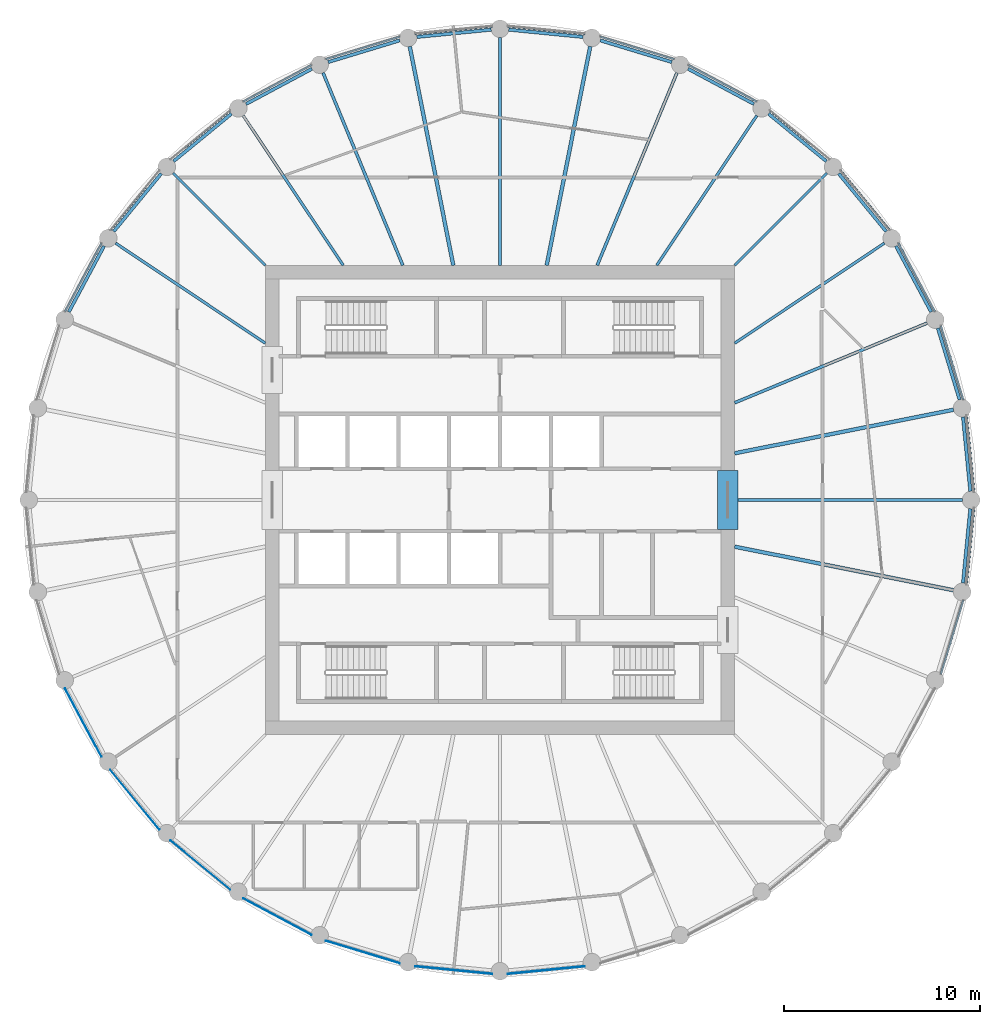
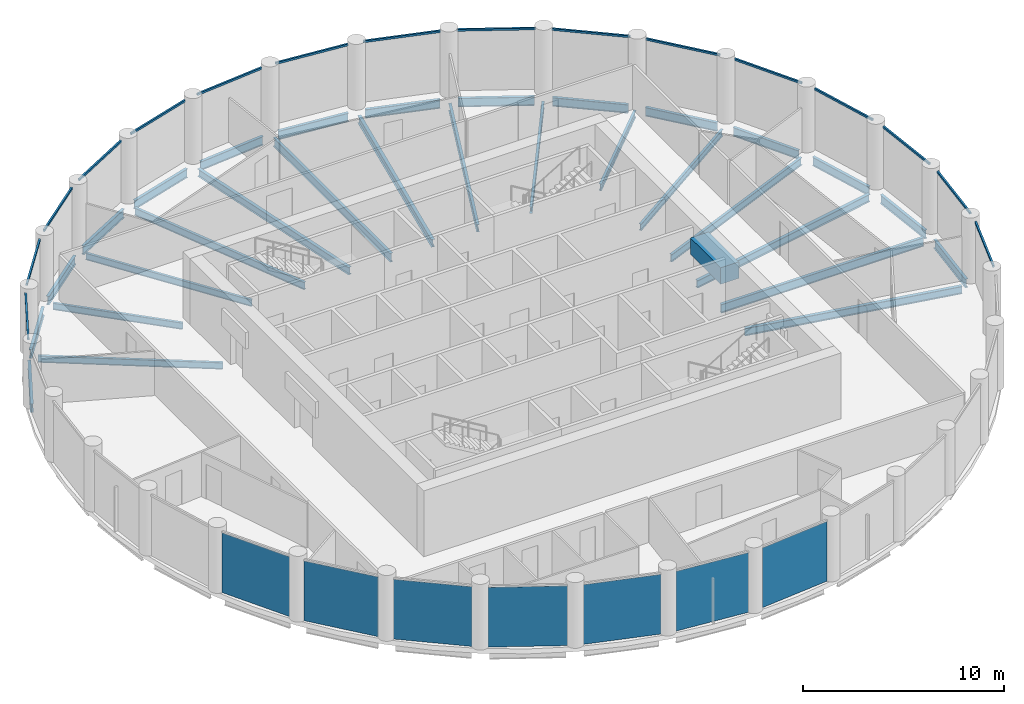
# One storey, part 2 of 8: 31 beams, 16 members, 7 plates, 23 elements without a shape of their own.
"""IFC4 building model written with IfcOpenShell, lengths in metres."""

from ifc_helpers import new_model, si_unit, direction, frame, origin, origin_2d, place, context, subcontext, project, spatial, rectangle, i_section, extrude, material, layer, layer_set, material_profile, profile_set, type_object, element, aggregate, save


model = new_model("IFC4")

# Units and contexts
model_context = context("Model", 3, precision=1e-05, world=origin(), true_north=direction((0.0, 1.0)))
body_context = subcontext(model_context, "Body", "Model", "MODEL_VIEW")
ifc_project = project(units=[si_unit("LENGTHUNIT", "METRE"), si_unit("AREAUNIT", "SQUARE_METRE"), si_unit("VOLUMEUNIT", "CUBIC_METRE"), si_unit("PLANEANGLEUNIT", "RADIAN"), si_unit("MASSUNIT", "GRAM", prefix="KILO")], contexts=[model_context])

# Site, building, storey
site_placement = place(None, origin())
site = spatial("IfcSite", under=ifc_project, at=site_placement, CompositionType="ELEMENT")
building_placement = place(site_placement, origin())
building = spatial("IfcBuilding", under=site, at=building_placement, Name="Corvane Civic Tower", CompositionType="ELEMENT")
storey_placement = place(building_placement, frame((0.0, 0.0, 299.0)))
storey = spatial("IfcBuildingStorey", under=building, at=storey_placement, Name="L71", CompositionType="ELEMENT", Elevation=299.0)

# Beams
ifc_material_1 = material(Name="Concrete C40/50", Category="concrete")
ifc_material_profile_1 = material_profile(ifc_material_1, rectangle(XDim=1.050048828125, YDim=1.0, at=origin_2d()), Name="COUPLING BEAM 1050X1000")
ifc_profile_set_1 = profile_set([ifc_material_profile_1], Name="Concrete C40/50")
beam_type_1 = type_object("IfcBeamType", Name="COUPLING BEAM COUPLING BEAM 1050X1000", PredefinedType="BEAM", material=ifc_profile_set_1)
beam_1_placement = place(storey_placement, frame((11.64990234375, -1.5, 2.60009765625), z_axis=(0.0, 1.0, 0.0), x_axis=(-1.0, 0.0, 0.0)))
element("IfcBeam", 1, at=beam_1_placement, inside=storey, type_object=beam_type_1, Name="BM-L71-cpl-CW-LE", PredefinedType="BEAM", context=body_context, shape_type="SweptSolid", body=[
    extrude(rectangle(XDim=1.050048828125, YDim=1.0, at=origin_2d()), origin(), (0.0, 0.0, 1.0), 3.0),
])
ifc_material_2 = material(Name="Steel ASTM A992 Gr 50", Category="steel")
ifc_material_profile_2 = material_profile(ifc_material_2, i_section(OverallWidth=0.165771484375, OverallDepth=0.5283203125, WebThickness=0.009765625, FlangeThickness=0.013671875, at=origin_2d()), Name="W21X50")
ifc_profile_set_2 = profile_set([ifc_material_profile_2], Name="Steel ASTM A992 Gr 50")
beam_type_2 = type_object("IfcBeamType", Name="EDGE BEAM W21X50", PredefinedType="BEAM", material=ifc_profile_set_2)
for number, where, z_axis, x_axis, name in (
    (2, (0.44775390625, 24.055908203125, -0.564208984375), (0.995187721162, -0.097986732007, 0.0), (0.097986732007, 0.995187721162, 0.0), "BM-L71-E01"),
    (3, (5.13232421875, 23.50634765625, -0.564208984375), (0.95692555902, -0.290333385085, 0.0), (0.290333385085, 0.95692555902, 0.0), "BM-L71-E02"),
):
    element("IfcBeam", number, at=place(storey_placement, frame(where, z_axis=z_axis, x_axis=x_axis)), inside=storey, type_object=beam_type_2, Name=name, PredefinedType="BEAM", context=body_context, shape_type="SweptSolid", body=[
        extrude(i_section(OverallWidth=0.165771484375, OverallDepth=0.5283203125, WebThickness=0.009765625, FlangeThickness=0.013671875, at=origin_2d()), origin(), (0.0, 0.0, 1.0), 3.824462890625),
    ])
beam_2_placement = place(storey_placement, frame((9.61962890625, 22.05322265625, -0.564208984375), z_axis=(0.881914279413, -0.471409804487, 0.0), x_axis=(0.471409804487, 0.881914279413, 0.0)))
element("IfcBeam", 4, at=beam_2_placement, inside=storey, type_object=beam_type_2, Name="BM-L71-E03", PredefinedType="BEAM", context=body_context, shape_type="SweptSolid", body=[
    extrude(i_section(OverallWidth=0.165771484375, OverallDepth=0.5283203125, WebThickness=0.009765625, FlangeThickness=0.013671875, at=origin_2d()), origin(), (0.0, 0.0, 1.0), 3.82421875),
])
for number, where, z_axis, x_axis, name in (
    (5, (13.737060546875, 19.7529296875, -0.564208984375), (0.772997914867, -0.634408562057, 0.0), (0.634408562057, 0.772997914867, 0.0), "BM-L71-E04"),
    (6, (17.32666015625, 16.693359375, -0.564208984375), (0.634408562057, -0.772997914867, 0.0), (0.772997914867, 0.634408562057, 0.0), "BM-L71-E05"),
):
    element("IfcBeam", number, at=place(storey_placement, frame(where, z_axis=z_axis, x_axis=x_axis)), inside=storey, type_object=beam_type_2, Name=name, PredefinedType="BEAM", context=body_context, shape_type="SweptSolid", body=[
        extrude(i_section(OverallWidth=0.165771484375, OverallDepth=0.5283203125, WebThickness=0.009765625, FlangeThickness=0.013671875, at=origin_2d()), origin(), (0.0, 0.0, 1.0), 3.824462890625),
    ])
beam_3_placement = place(storey_placement, frame((20.25048828125, 12.9921875, -0.564208984375), z_axis=(0.471409804487, -0.881914279413, 0.0), x_axis=(0.881914279413, 0.471409804487, 0.0)))
element("IfcBeam", 7, at=beam_3_placement, inside=storey, type_object=beam_type_2, Name="BM-L71-E06", PredefinedType="BEAM", context=body_context, shape_type="SweptSolid", body=[
    extrude(i_section(OverallWidth=0.165771484375, OverallDepth=0.5283203125, WebThickness=0.009765625, FlangeThickness=0.013671875, at=origin_2d()), origin(), (0.0, 0.0, 1.0), 3.82421875),
])
for number, where, z_axis, x_axis, name in (
    (8, (22.39599609375, 8.7919921875, -0.564208984375), (0.290333385085, -0.95692555902, 0.0), (0.95692555902, 0.290333385085, 0.0), "BM-L71-E07"),
    (9, (23.68115234375, 4.25390625, -0.564208984375), (0.097986732007, -0.995187721162, 0.0), (0.995187721162, 0.097986732007, 0.0), "BM-L71-E08"),
    (10, (24.055908203125, -0.44775390625, -0.564208984375), (-0.097986732007, -0.995187721162, 0.0), (0.995187721162, -0.097986732007, 0.0), "BM-L71-E09"),
):
    element("IfcBeam", number, at=place(storey_placement, frame(where, z_axis=z_axis, x_axis=x_axis)), inside=storey, type_object=beam_type_2, Name=name, PredefinedType="BEAM", context=body_context, shape_type="SweptSolid", body=[
        extrude(i_section(OverallWidth=0.165771484375, OverallDepth=0.5283203125, WebThickness=0.009765625, FlangeThickness=0.013671875, at=origin_2d()), origin(), (0.0, 0.0, 1.0), 3.824462890625),
    ])
beam_4_placement = place(storey_placement, frame((-22.05322265625, 9.61962890625, -0.564208984375), z_axis=(0.471409804487, 0.881914279413, 0.0), x_axis=(-0.881914279413, 0.471409804487, 0.0)))
element("IfcBeam", 11, at=beam_4_placement, inside=storey, type_object=beam_type_2, Name="BM-L71-E27", PredefinedType="BEAM", context=body_context, shape_type="SweptSolid", body=[
    extrude(i_section(OverallWidth=0.165771484375, OverallDepth=0.5283203125, WebThickness=0.009765625, FlangeThickness=0.013671875, at=origin_2d()), origin(), (0.0, 0.0, 1.0), 3.82421875),
])
for number, where, z_axis, x_axis, name in (
    (12, (-19.7529296875, 13.737060546875, -0.564208984375), (0.634408562057, 0.772997914867, 0.0), (-0.772997914867, 0.634408562057, 0.0), "BM-L71-E28"),
    (13, (-16.693359375, 17.32666015625, -0.564208984375), (0.772997914867, 0.634408562057, 0.0), (-0.634408562057, 0.772997914867, 0.0), "BM-L71-E29"),
):
    element("IfcBeam", number, at=place(storey_placement, frame(where, z_axis=z_axis, x_axis=x_axis)), inside=storey, type_object=beam_type_2, Name=name, PredefinedType="BEAM", context=body_context, shape_type="SweptSolid", body=[
        extrude(i_section(OverallWidth=0.165771484375, OverallDepth=0.5283203125, WebThickness=0.009765625, FlangeThickness=0.013671875, at=origin_2d()), origin(), (0.0, 0.0, 1.0), 3.824462890625),
    ])
beam_5_placement = place(storey_placement, frame((-12.9921875, 20.25048828125, -0.564208984375), z_axis=(0.881914279413, 0.471409804487, 0.0), x_axis=(-0.471409804487, 0.881914279413, 0.0)))
element("IfcBeam", 14, at=beam_5_placement, inside=storey, type_object=beam_type_2, Name="BM-L71-E30", PredefinedType="BEAM", context=body_context, shape_type="SweptSolid", body=[
    extrude(i_section(OverallWidth=0.165771484375, OverallDepth=0.5283203125, WebThickness=0.009765625, FlangeThickness=0.013671875, at=origin_2d()), origin(), (0.0, 0.0, 1.0), 3.82421875),
])
for number, where, z_axis, x_axis, name in (
    (15, (-8.7919921875, 22.39599609375, -0.564208984375), (0.95692555902, 0.290333385085, 0.0), (-0.290333385085, 0.95692555902, 0.0), "BM-L71-E31"),
    (16, (-4.25390625, 23.68115234375, -0.564208984375), (0.995187721162, 0.097986732007, 0.0), (-0.097986732007, 0.995187721162, 0.0), "BM-L71-E32"),
):
    element("IfcBeam", number, at=place(storey_placement, frame(where, z_axis=z_axis, x_axis=x_axis)), inside=storey, type_object=beam_type_2, Name=name, PredefinedType="BEAM", context=body_context, shape_type="SweptSolid", body=[
        extrude(i_section(OverallWidth=0.165771484375, OverallDepth=0.5283203125, WebThickness=0.009765625, FlangeThickness=0.013671875, at=origin_2d()), origin(), (0.0, 0.0, 1.0), 3.824462890625),
    ])
ifc_material_3 = material(Name="Steel ASTM A992 Gr 50", Category="steel")
ifc_material_profile_3 = material_profile(ifc_material_3, i_section(OverallWidth=0.140380859375, OverallDepth=0.40380859375, WebThickness=0.007080078125, FlangeThickness=0.01123046875, at=origin_2d()), Name="W16X31")
ifc_profile_set_3 = profile_set([ifc_material_profile_3], Name="Steel ASTM A992 Gr 50")
beam_type_3 = type_object("IfcBeamType", Name="FLOOR GIRDER W16X31", PredefinedType="BEAM", material=ifc_profile_set_3)
beam_6_placement = place(storey_placement, frame((8.01806640625, 12.0, -0.501953125), z_axis=(0.555567816355, 0.831471227061, 0.0), x_axis=(-0.831471227061, 0.555567816355, 0.0)))
element("IfcBeam", 17, at=beam_6_placement, inside=storey, type_object=beam_type_3, Name="BM-L71-G04", PredefinedType="BEAM", context=body_context, shape_type="SweptSolid", body=[
    extrude(i_section(OverallWidth=0.140380859375, OverallDepth=0.40380859375, WebThickness=0.007080078125, FlangeThickness=0.01123046875, at=origin_2d()), origin(), (0.0, 0.0, 1.0), 9.2177734375),
])
beam_7_placement = place(storey_placement, frame((12.0, 12.0, -0.501953125), z_axis=(0.707106781187, 0.707106781187, 0.0), x_axis=(-0.707106781187, 0.707106781187, 0.0)))
element("IfcBeam", 18, at=beam_7_placement, inside=storey, type_object=beam_type_3, Name="BM-L71-G05", PredefinedType="BEAM", context=body_context, shape_type="SweptSolid", body=[
    extrude(i_section(OverallWidth=0.140380859375, OverallDepth=0.40380859375, WebThickness=0.007080078125, FlangeThickness=0.01123046875, at=origin_2d()), origin(), (0.0, 0.0, 1.0), 6.679443359375),
])
for number, where, z_axis, x_axis, name in (
    (19, (12.0, 8.01806640625, -0.501953125), (0.831471227061, 0.555567816355, 0.0), (-0.555567816355, 0.831471227061, 0.0), "BM-L71-G06"),
    (20, (-12.0, 8.01806640625, -0.501953125), (-0.831471227061, 0.555567816355, 0.0), (-0.555567816355, -0.831471227061, 0.0), "BM-L71-G28"),
):
    element("IfcBeam", number, at=place(storey_placement, frame(where, z_axis=z_axis, x_axis=x_axis)), inside=storey, type_object=beam_type_3, Name=name, PredefinedType="BEAM", context=body_context, shape_type="SweptSolid", body=[
        extrude(i_section(OverallWidth=0.140380859375, OverallDepth=0.40380859375, WebThickness=0.007080078125, FlangeThickness=0.01123046875, at=origin_2d()), origin(), (0.0, 0.0, 1.0), 9.2177734375),
    ])
beam_8_placement = place(storey_placement, frame((-12.0, 12.0, -0.501953125), z_axis=(-0.707106781187, 0.707106781187, 0.0), x_axis=(-0.707106781187, -0.707106781187, 0.0)))
element("IfcBeam", 21, at=beam_8_placement, inside=storey, type_object=beam_type_3, Name="BM-L71-G29", PredefinedType="BEAM", context=body_context, shape_type="SweptSolid", body=[
    extrude(i_section(OverallWidth=0.140380859375, OverallDepth=0.40380859375, WebThickness=0.007080078125, FlangeThickness=0.01123046875, at=origin_2d()), origin(), (0.0, 0.0, 1.0), 6.679443359375),
])
beam_9_placement = place(storey_placement, frame((-8.01806640625, 12.0, -0.501953125), z_axis=(-0.555567816355, 0.831471227061, 0.0), x_axis=(-0.831471227061, -0.555567816355, 0.0)))
element("IfcBeam", 22, at=beam_9_placement, inside=storey, type_object=beam_type_3, Name="BM-L71-G30", PredefinedType="BEAM", context=body_context, shape_type="SweptSolid", body=[
    extrude(i_section(OverallWidth=0.140380859375, OverallDepth=0.40380859375, WebThickness=0.007080078125, FlangeThickness=0.01123046875, at=origin_2d()), origin(), (0.0, 0.0, 1.0), 9.2177734375),
])
ifc_material_4 = material(Name="Steel ASTM A992 Gr 50", Category="steel")
ifc_material_profile_4 = material_profile(ifc_material_4, i_section(OverallWidth=0.15283203125, OverallDepth=0.45458984375, WebThickness=0.008056640625, FlangeThickness=0.013427734375, at=origin_2d()), Name="W18X40")
ifc_profile_set_4 = profile_set([ifc_material_profile_4], Name="Steel ASTM A992 Gr 50")
beam_type_4 = type_object("IfcBeamType", Name="FLOOR GIRDER W18X40", PredefinedType="BEAM", material=ifc_profile_set_4)
for number, where, z_axis, x_axis, name in (
    (23, (4.970458984375, 12.0, -0.52734375), (0.382694257331, 0.923875048589, 0.0), (-0.923875048589, 0.382694257331, 0.0), "BM-L71-G03"),
    (24, (12.0, 4.970458984375, -0.52734375), (0.923875048589, 0.382694257331, 0.0), (-0.382694257331, 0.923875048589, 0.0), "BM-L71-G07"),
    (25, (-4.970458984375, 12.0, -0.52734375), (-0.382694257331, 0.923875048589, 0.0), (-0.923875048589, -0.382694257331, 0.0), "BM-L71-G31"),
):
    element("IfcBeam", number, at=place(storey_placement, frame(where, z_axis=z_axis, x_axis=x_axis)), inside=storey, type_object=beam_type_4, Name=name, PredefinedType="BEAM", context=body_context, shape_type="SweptSolid", body=[
        extrude(i_section(OverallWidth=0.15283203125, OverallDepth=0.45458984375, WebThickness=0.008056640625, FlangeThickness=0.013427734375, at=origin_2d()), origin(), (0.0, 0.0, 1.0), 10.661376953125),
    ])
ifc_material_5 = material(Name="Steel ASTM A992 Gr 50", Category="steel")
ifc_material_profile_5 = material_profile(ifc_material_5, i_section(OverallWidth=0.1904296875, OverallDepth=0.457275390625, WebThickness=0.009033203125, FlangeThickness=0.014404296875, at=origin_2d()), Name="W18X50")
ifc_profile_set_5 = profile_set([ifc_material_profile_5], Name="Steel ASTM A992 Gr 50")
beam_type_5 = type_object("IfcBeamType", Name="FLOOR GIRDER W18X50", PredefinedType="BEAM", material=ifc_profile_set_5)
for number, where, z_axis, x_axis, name in (
    (26, (2.386962890625, 12.0, -0.528564453125), (0.195079532402, 0.980787426529, 0.0), (-0.980787426529, 0.195079532402, 0.0), "BM-L71-G02"),
    (27, (12.0, 2.386962890625, -0.528564453125), (0.980787426529, 0.195079532402, 0.0), (-0.195079532402, 0.980787426529, 0.0), "BM-L71-G08"),
    (28, (12.0, -2.386962890625, -0.528564453125), (0.980787426529, -0.195079532402, 0.0), (0.195079532402, 0.980787426529, 0.0), "BM-L71-G10"),
    (29, (-2.386962890625, 12.0, -0.528564453125), (-0.195079532402, 0.980787426529, 0.0), (-0.980787426529, -0.195079532402, 0.0), "BM-L71-G32"),
):
    element("IfcBeam", number, at=place(storey_placement, frame(where, z_axis=z_axis, x_axis=x_axis)), inside=storey, type_object=beam_type_5, Name=name, PredefinedType="BEAM", context=body_context, shape_type="SweptSolid", body=[
        extrude(i_section(OverallWidth=0.1904296875, OverallDepth=0.457275390625, WebThickness=0.009033203125, FlangeThickness=0.014404296875, at=origin_2d()), origin(), (0.0, 0.0, 1.0), 11.414794921875),
    ])
ifc_material_6 = material(Name="Steel ASTM A992 Gr 50", Category="steel")
ifc_material_profile_6 = material_profile(ifc_material_6, i_section(OverallWidth=0.165771484375, OverallDepth=0.5283203125, WebThickness=0.009765625, FlangeThickness=0.013671875, at=origin_2d()), Name="W21X50")
ifc_profile_set_6 = profile_set([ifc_material_profile_6], Name="Steel ASTM A992 Gr 50")
beam_type_6 = type_object("IfcBeamType", Name="FLOOR GIRDER W21X50", PredefinedType="BEAM", material=ifc_profile_set_6)
for number, where, z_axis, x_axis, name in (
    (30, (0.0, 12.0, -0.564208984375), (0.0, 1.0, 0.0), (-1.0, 0.0, 0.0), "BM-L71-G01"),
    (31, (12.0, 0.0, -0.564208984375), (1.0, 0.0, 0.0), (0.0, 1.0, 0.0), "BM-L71-G09"),
):
    element("IfcBeam", number, at=place(storey_placement, frame(where, z_axis=z_axis, x_axis=x_axis)), inside=storey, type_object=beam_type_6, Name=name, PredefinedType="BEAM", context=body_context, shape_type="SweptSolid", body=[
        extrude(i_section(OverallWidth=0.165771484375, OverallDepth=0.5283203125, WebThickness=0.009765625, FlangeThickness=0.013671875, at=origin_2d()), origin(), (0.0, 0.0, 1.0), 11.64990234375),
    ])

# Curtain wall, member
ifc_material_7 = material(Name="Anodised aluminium bronze", Category="aluminium")
curtain_wall_type = type_object("IfcCurtainWallType", Name="TOWER CW-T3 STICK CURTAIN WALL", PredefinedType="NOTDEFINED", material=ifc_material_7)
curtain_wall_1_placement = place(storey_placement, origin())
curtain_wall_1 = element("IfcCurtainWall", 32, at=curtain_wall_1_placement, inside=storey, type_object=curtain_wall_type, Name="Curtain wall CW-T3 L71 bay 01", PredefinedType="NOTDEFINED")
ifc_material_8 = material(Name="Anodised aluminium bronze", Category="aluminium")
ifc_material_profile_7 = material_profile(ifc_material_8, rectangle(XDim=0.10009765625, YDim=0.1201171875, at=origin_2d()), Name="TOWER CW-T3 TRANSOM 100x120")
ifc_profile_set_7 = profile_set([ifc_material_profile_7], Name="Anodised aluminium bronze")
member_type = type_object("IfcMemberType", Name="TOWER CW-T3 TRANSOM 100x120", PredefinedType="USERDEFINED", material=ifc_profile_set_7)
member_1_placement = place(storey_placement, frame((0.3984375, 24.24072265625, 3.68994140625), z_axis=(0.995186866683, -0.097995409999, 0.0), x_axis=(0.097995409999, 0.995186866683, 0.0)))
member_1 = element("IfcMember", 33, at=member_1_placement, type_object=member_type, Name="Transom CW-T3 L71 01.1", ObjectType="TRANSOM", PredefinedType="USERDEFINED", context=body_context, shape_type="SweptSolid", body=[
    extrude(rectangle(XDim=0.10009765625, YDim=0.1201171875, at=origin_2d()), origin(), (0.0, 0.0, 1.0), 3.958740234375),
])
aggregate(curtain_wall_1, [member_1])

curtain_wall_2_placement = place(storey_placement, origin())
curtain_wall_2 = element("IfcCurtainWall", 34, at=curtain_wall_2_placement, inside=storey, type_object=curtain_wall_type, Name="Curtain wall CW-T3 L71 bay 02", PredefinedType="NOTDEFINED")
member_2_placement = place(storey_placement, frame((5.119873046875, 23.697265625, 3.68994140625), z_axis=(0.956946054205, -0.290265825309, 0.0), x_axis=(0.290265825309, 0.956946054205, 0.0)))
member_2 = element("IfcMember", 35, at=member_2_placement, type_object=member_type, Name="Transom CW-T3 L71 02.1", ObjectType="TRANSOM", PredefinedType="USERDEFINED", context=body_context, shape_type="SweptSolid", body=[
    extrude(rectangle(XDim=0.10009765625, YDim=0.1201171875, at=origin_2d()), origin(), (0.0, 0.0, 1.0), 3.958984375),
])
aggregate(curtain_wall_2, [member_2])

curtain_wall_3_placement = place(storey_placement, origin())
curtain_wall_3 = element("IfcCurtainWall", 36, at=curtain_wall_3_placement, inside=storey, type_object=curtain_wall_type, Name="Curtain wall CW-T3 L71 bay 03", PredefinedType="NOTDEFINED")
member_3_placement = place(storey_placement, frame((9.644775390625, 22.2431640625, 3.68994140625), z_axis=(0.881883040816, -0.471468241052, 0.0), x_axis=(0.471468241052, 0.881883040816, 0.0)))
member_3 = element("IfcMember", 37, at=member_3_placement, type_object=member_type, Name="Transom CW-T3 L71 03.1", ObjectType="TRANSOM", PredefinedType="USERDEFINED", context=body_context, shape_type="SweptSolid", body=[
    extrude(rectangle(XDim=0.10009765625, YDim=0.1201171875, at=origin_2d()), origin(), (0.0, 0.0, 1.0), 3.958740234375),
])
aggregate(curtain_wall_3, [member_3])

curtain_wall_4_placement = place(storey_placement, origin())
curtain_wall_4 = element("IfcCurtainWall", 38, at=curtain_wall_4_placement, inside=storey, type_object=curtain_wall_type, Name="Curtain wall CW-T3 L71 bay 04", PredefinedType="NOTDEFINED")
member_4_placement = place(storey_placement, frame((13.798828125, 19.93408203125, 3.68994140625), z_axis=(0.772991943051, -0.634415838373, 0.0), x_axis=(0.634415838373, 0.772991943051, 0.0)))
member_4 = element("IfcMember", 39, at=member_4_placement, type_object=member_type, Name="Transom CW-T3 L71 04.1", ObjectType="TRANSOM", PredefinedType="USERDEFINED", context=body_context, shape_type="SweptSolid", body=[
    extrude(rectangle(XDim=0.10009765625, YDim=0.1201171875, at=origin_2d()), origin(), (0.0, 0.0, 1.0), 3.958740234375),
])
aggregate(curtain_wall_4, [member_4])

curtain_wall_5_placement = place(storey_placement, origin())
curtain_wall_5 = element("IfcCurtainWall", 40, at=curtain_wall_5_placement, inside=storey, type_object=curtain_wall_type, Name="Curtain wall CW-T3 L71 bay 05", PredefinedType="NOTDEFINED")
member_5_placement = place(storey_placement, frame((17.422607421875, 16.85888671875, 3.68994140625), z_axis=(0.634415838373, -0.772991943051, 0.0), x_axis=(0.772991943051, 0.634415838373, 0.0)))
member_5 = element("IfcMember", 41, at=member_5_placement, type_object=member_type, Name="Transom CW-T3 L71 05.1", ObjectType="TRANSOM", PredefinedType="USERDEFINED", context=body_context, shape_type="SweptSolid", body=[
    extrude(rectangle(XDim=0.10009765625, YDim=0.1201171875, at=origin_2d()), origin(), (0.0, 0.0, 1.0), 3.958740234375),
])
aggregate(curtain_wall_5, [member_5])

curtain_wall_6_placement = place(storey_placement, origin())
curtain_wall_6 = element("IfcCurtainWall", 42, at=curtain_wall_6_placement, inside=storey, type_object=curtain_wall_type, Name="Curtain wall CW-T3 L71 bay 06", PredefinedType="NOTDEFINED")
member_6_placement = place(storey_placement, frame((20.376708984375, 13.135986328125, 3.68994140625), z_axis=(0.471468241052, -0.881883040816, 0.0), x_axis=(0.881883040816, 0.471468241052, 0.0)))
member_6 = element("IfcMember", 43, at=member_6_placement, type_object=member_type, Name="Transom CW-T3 L71 06.1", ObjectType="TRANSOM", PredefinedType="USERDEFINED", context=body_context, shape_type="SweptSolid", body=[
    extrude(rectangle(XDim=0.10009765625, YDim=0.1201171875, at=origin_2d()), origin(), (0.0, 0.0, 1.0), 3.958740234375),
])
aggregate(curtain_wall_6, [member_6])

curtain_wall_7_placement = place(storey_placement, origin())
curtain_wall_7 = element("IfcCurtainWall", 44, at=curtain_wall_7_placement, inside=storey, type_object=curtain_wall_type, Name="Curtain wall CW-T3 L71 bay 07", PredefinedType="NOTDEFINED")
member_7_placement = place(storey_placement, frame((22.548095703125, 8.908447265625, 3.68994140625), z_axis=(0.290265825309, -0.956946054205, 0.0), x_axis=(0.956946054205, 0.290265825309, 0.0)))
member_7 = element("IfcMember", 45, at=member_7_placement, type_object=member_type, Name="Transom CW-T3 L71 07.1", ObjectType="TRANSOM", PredefinedType="USERDEFINED", context=body_context, shape_type="SweptSolid", body=[
    extrude(rectangle(XDim=0.10009765625, YDim=0.1201171875, at=origin_2d()), origin(), (0.0, 0.0, 1.0), 3.958984375),
])
aggregate(curtain_wall_7, [member_7])

curtain_wall_8_placement = place(storey_placement, origin())
curtain_wall_8 = element("IfcCurtainWall", 46, at=curtain_wall_8_placement, inside=storey, type_object=curtain_wall_type, Name="Curtain wall CW-T3 L71 bay 08", PredefinedType="NOTDEFINED")
member_8_placement = place(storey_placement, frame((23.852783203125, 4.338134765625, 3.68994140625), z_axis=(0.097995409999, -0.995186866683, 0.0), x_axis=(0.995186866683, 0.097995409999, 0.0)))
member_8 = element("IfcMember", 47, at=member_8_placement, type_object=member_type, Name="Transom CW-T3 L71 08.1", ObjectType="TRANSOM", PredefinedType="USERDEFINED", context=body_context, shape_type="SweptSolid", body=[
    extrude(rectangle(XDim=0.10009765625, YDim=0.1201171875, at=origin_2d()), origin(), (0.0, 0.0, 1.0), 3.958740234375),
])
aggregate(curtain_wall_8, [member_8])

curtain_wall_9_placement = place(storey_placement, origin())
curtain_wall_9 = element("IfcCurtainWall", 48, at=curtain_wall_9_placement, inside=storey, type_object=curtain_wall_type, Name="Curtain wall CW-T3 L71 bay 09", PredefinedType="NOTDEFINED")
member_9_placement = place(storey_placement, frame((24.24072265625, -0.3984375, 3.68994140625), z_axis=(-0.097995409999, -0.995186866683, 0.0), x_axis=(0.995186866683, -0.097995409999, 0.0)))
member_9 = element("IfcMember", 49, at=member_9_placement, type_object=member_type, Name="Transom CW-T3 L71 09.1", ObjectType="TRANSOM", PredefinedType="USERDEFINED", context=body_context, shape_type="SweptSolid", body=[
    extrude(rectangle(XDim=0.10009765625, YDim=0.1201171875, at=origin_2d()), origin(), (0.0, 0.0, 1.0), 3.958740234375),
])
aggregate(curtain_wall_9, [member_9])

curtain_wall_10_placement = place(storey_placement, origin())
curtain_wall_10 = element("IfcCurtainWall", 50, at=curtain_wall_10_placement, inside=storey, type_object=curtain_wall_type, Name="Curtain wall CW-T3 L71 bay 10", PredefinedType="NOTDEFINED")
member_10_placement = place(storey_placement, frame((23.697265625, -5.119873046875, 3.68994140625), z_axis=(-0.290265825309, -0.956946054205, 0.0), x_axis=(0.956946054205, -0.290265825309, 0.0)))
member_10 = element("IfcMember", 51, at=member_10_placement, type_object=member_type, Name="Transom CW-T3 L71 10.1", ObjectType="TRANSOM", PredefinedType="USERDEFINED", context=body_context, shape_type="SweptSolid", body=[
    extrude(rectangle(XDim=0.10009765625, YDim=0.1201171875, at=origin_2d()), origin(), (0.0, 0.0, 1.0), 3.958984375),
])
aggregate(curtain_wall_10, [member_10])

curtain_wall_11_placement = place(storey_placement, origin())
curtain_wall_11 = element("IfcCurtainWall", 52, at=curtain_wall_11_placement, inside=storey, type_object=curtain_wall_type, Name="Curtain wall CW-T3 L71 bay 27", PredefinedType="NOTDEFINED")
member_11_placement = place(storey_placement, frame((-22.2431640625, 9.644775390625, 3.68994140625), z_axis=(0.471468241052, 0.881883040816, 0.0), x_axis=(-0.881883040816, 0.471468241052, 0.0)))
member_11 = element("IfcMember", 53, at=member_11_placement, type_object=member_type, Name="Transom CW-T3 L71 27.1", ObjectType="TRANSOM", PredefinedType="USERDEFINED", context=body_context, shape_type="SweptSolid", body=[
    extrude(rectangle(XDim=0.10009765625, YDim=0.1201171875, at=origin_2d()), origin(), (0.0, 0.0, 1.0), 3.958740234375),
])
aggregate(curtain_wall_11, [member_11])

curtain_wall_12_placement = place(storey_placement, origin())
curtain_wall_12 = element("IfcCurtainWall", 54, at=curtain_wall_12_placement, inside=storey, type_object=curtain_wall_type, Name="Curtain wall CW-T3 L71 bay 28", PredefinedType="NOTDEFINED")
member_12_placement = place(storey_placement, frame((-19.93408203125, 13.798828125, 3.68994140625), z_axis=(0.634415838373, 0.772991943051, 0.0), x_axis=(-0.772991943051, 0.634415838373, 0.0)))
member_12 = element("IfcMember", 55, at=member_12_placement, type_object=member_type, Name="Transom CW-T3 L71 28.1", ObjectType="TRANSOM", PredefinedType="USERDEFINED", context=body_context, shape_type="SweptSolid", body=[
    extrude(rectangle(XDim=0.10009765625, YDim=0.1201171875, at=origin_2d()), origin(), (0.0, 0.0, 1.0), 3.958740234375),
])
aggregate(curtain_wall_12, [member_12])

curtain_wall_13_placement = place(storey_placement, origin())
curtain_wall_13 = element("IfcCurtainWall", 56, at=curtain_wall_13_placement, inside=storey, type_object=curtain_wall_type, Name="Curtain wall CW-T3 L71 bay 29", PredefinedType="NOTDEFINED")
member_13_placement = place(storey_placement, frame((-16.85888671875, 17.422607421875, 3.68994140625), z_axis=(0.772991943051, 0.634415838373, 0.0), x_axis=(-0.634415838373, 0.772991943051, 0.0)))
member_13 = element("IfcMember", 57, at=member_13_placement, type_object=member_type, Name="Transom CW-T3 L71 29.1", ObjectType="TRANSOM", PredefinedType="USERDEFINED", context=body_context, shape_type="SweptSolid", body=[
    extrude(rectangle(XDim=0.10009765625, YDim=0.1201171875, at=origin_2d()), origin(), (0.0, 0.0, 1.0), 3.958740234375),
])
aggregate(curtain_wall_13, [member_13])

curtain_wall_14_placement = place(storey_placement, origin())
curtain_wall_14 = element("IfcCurtainWall", 58, at=curtain_wall_14_placement, inside=storey, type_object=curtain_wall_type, Name="Curtain wall CW-T3 L71 bay 30", PredefinedType="NOTDEFINED")
member_14_placement = place(storey_placement, frame((-13.135986328125, 20.376708984375, 3.68994140625), z_axis=(0.881883040816, 0.471468241052, 0.0), x_axis=(-0.471468241052, 0.881883040816, 0.0)))
member_14 = element("IfcMember", 59, at=member_14_placement, type_object=member_type, Name="Transom CW-T3 L71 30.1", ObjectType="TRANSOM", PredefinedType="USERDEFINED", context=body_context, shape_type="SweptSolid", body=[
    extrude(rectangle(XDim=0.10009765625, YDim=0.1201171875, at=origin_2d()), origin(), (0.0, 0.0, 1.0), 3.958740234375),
])
aggregate(curtain_wall_14, [member_14])

curtain_wall_15_placement = place(storey_placement, origin())
curtain_wall_15 = element("IfcCurtainWall", 60, at=curtain_wall_15_placement, inside=storey, type_object=curtain_wall_type, Name="Curtain wall CW-T3 L71 bay 31", PredefinedType="NOTDEFINED")
member_15_placement = place(storey_placement, frame((-8.908447265625, 22.548095703125, 3.68994140625), z_axis=(0.956946054205, 0.290265825309, 0.0), x_axis=(-0.290265825309, 0.956946054205, 0.0)))
member_15 = element("IfcMember", 61, at=member_15_placement, type_object=member_type, Name="Transom CW-T3 L71 31.1", ObjectType="TRANSOM", PredefinedType="USERDEFINED", context=body_context, shape_type="SweptSolid", body=[
    extrude(rectangle(XDim=0.10009765625, YDim=0.1201171875, at=origin_2d()), origin(), (0.0, 0.0, 1.0), 3.958984375),
])
aggregate(curtain_wall_15, [member_15])

curtain_wall_16_placement = place(storey_placement, origin())
curtain_wall_16 = element("IfcCurtainWall", 62, at=curtain_wall_16_placement, inside=storey, type_object=curtain_wall_type, Name="Curtain wall CW-T3 L71 bay 32", PredefinedType="NOTDEFINED")
member_16_placement = place(storey_placement, frame((-4.338134765625, 23.852783203125, 3.68994140625), z_axis=(0.995186866683, 0.097995409999, 0.0), x_axis=(-0.097995409999, 0.995186866683, 0.0)))
member_16 = element("IfcMember", 63, at=member_16_placement, type_object=member_type, Name="Transom CW-T3 L71 32.1", ObjectType="TRANSOM", PredefinedType="USERDEFINED", context=body_context, shape_type="SweptSolid", body=[
    extrude(rectangle(XDim=0.10009765625, YDim=0.1201171875, at=origin_2d()), origin(), (0.0, 0.0, 1.0), 3.958740234375),
])
aggregate(curtain_wall_16, [member_16])

# Curtain wall, plate
curtain_wall_17_placement = place(storey_placement, origin())
curtain_wall_17 = element("IfcCurtainWall", 64, at=curtain_wall_17_placement, inside=storey, type_object=curtain_wall_type, Name="Curtain wall CW-T3 L71 bay 16", PredefinedType="NOTDEFINED")
ifc_material_9 = material(Name="Tinted glass", Category="glass")
ifc_layer = layer(ifc_material_9, 0.028076171875)
ifc_layer_set = layer_set([ifc_layer], Name="Tinted glass")
plate_type = type_object("IfcPlateType", Name="TOWER CW-T3 PANEL IGU28", PredefinedType="CURTAIN_PANEL", material=ifc_layer_set)
plate_1_placement = place(storey_placement, frame((2.368408203125, -24.046875, 0.0), z_axis=(0.0, 0.0, 1.0), x_axis=(-0.99518437747, -0.098020685775, 0.0)))
plate_1 = element("IfcPlate", 65, at=plate_1_placement, type_object=plate_type, Name="Glass panel CW-T3 L71 16.1", PredefinedType="CURTAIN_PANEL", context=body_context, shape_type="SweptSolid", body=[
    extrude(rectangle(XDim=3.958740234375, YDim=0.028076171875, at=origin_2d()), origin(), (0.0, 0.0, 1.0), 3.6298828125),
])
aggregate(curtain_wall_17, [plate_1])

curtain_wall_18_placement = place(storey_placement, origin())
curtain_wall_18 = element("IfcCurtainWall", 66, at=curtain_wall_18_placement, inside=storey, type_object=curtain_wall_type, Name="Curtain wall CW-T3 L71 bay 17", PredefinedType="NOTDEFINED")
plate_2_placement = place(storey_placement, frame((-2.368408203125, -24.046875, 0.0), z_axis=(0.0, 0.0, 1.0), x_axis=(-0.99518437747, 0.098020685775, 0.0)))
plate_2 = element("IfcPlate", 67, at=plate_2_placement, type_object=plate_type, Name="Glass panel CW-T3 L71 17.1", PredefinedType="CURTAIN_PANEL", context=body_context, shape_type="SweptSolid", body=[
    extrude(rectangle(XDim=3.958740234375, YDim=0.028076171875, at=origin_2d()), origin(), (0.0, 0.0, 1.0), 3.6298828125),
])
aggregate(curtain_wall_18, [plate_2])

curtain_wall_19_placement = place(storey_placement, origin())
curtain_wall_19 = element("IfcCurtainWall", 68, at=curtain_wall_19_placement, inside=storey, type_object=curtain_wall_type, Name="Curtain wall CW-T3 L71 bay 18", PredefinedType="NOTDEFINED")
plate_3_placement = place(storey_placement, frame((-7.01416015625, -23.12255859375, 0.0), z_axis=(0.0, 0.0, 1.0), x_axis=(-0.956943694519, 0.290273604586, 0.0)))
plate_3 = element("IfcPlate", 69, at=plate_3_placement, type_object=plate_type, Name="Glass panel CW-T3 L71 18.1", PredefinedType="CURTAIN_PANEL", context=body_context, shape_type="SweptSolid", body=[
    extrude(rectangle(XDim=3.958984375, YDim=0.028076171875, at=origin_2d()), origin(), (0.0, 0.0, 1.0), 3.6298828125),
])
aggregate(curtain_wall_19, [plate_3])

curtain_wall_20_placement = place(storey_placement, origin())
curtain_wall_20 = element("IfcCurtainWall", 70, at=curtain_wall_20_placement, inside=storey, type_object=curtain_wall_type, Name="Curtain wall CW-T3 L71 bay 19", PredefinedType="NOTDEFINED")
plate_4_placement = place(storey_placement, frame((-11.390380859375, -21.31005859375, 0.0), z_axis=(0.0, 0.0, 1.0), x_axis=(-0.881908138655, 0.471421292448, 0.0)))
plate_4 = element("IfcPlate", 71, at=plate_4_placement, type_object=plate_type, Name="Glass panel CW-T3 L71 19.1", PredefinedType="CURTAIN_PANEL", context=body_context, shape_type="SweptSolid", body=[
    extrude(rectangle(XDim=3.958740234375, YDim=0.028076171875, at=origin_2d()), origin(), (0.0, 0.0, 1.0), 3.6298828125),
])
aggregate(curtain_wall_20, [plate_4])

curtain_wall_21_placement = place(storey_placement, origin())
curtain_wall_21 = element("IfcCurtainWall", 72, at=curtain_wall_21_placement, inside=storey, type_object=curtain_wall_type, Name="Curtain wall CW-T3 L71 bay 20", PredefinedType="NOTDEFINED")
plate_5_placement = place(storey_placement, frame((-15.328857421875, -18.67822265625, 0.0), z_axis=(0.0, 0.0, 1.0), x_axis=(-0.773001130565, 0.634404643855, 0.0)))
plate_5 = element("IfcPlate", 73, at=plate_5_placement, type_object=plate_type, Name="Glass panel CW-T3 L71 20.1", PredefinedType="CURTAIN_PANEL", context=body_context, shape_type="SweptSolid", body=[
    extrude(rectangle(XDim=3.958740234375, YDim=0.028076171875, at=origin_2d()), origin(), (0.0, 0.0, 1.0), 3.6298828125),
])
aggregate(curtain_wall_21, [plate_5])

curtain_wall_22_placement = place(storey_placement, origin())
curtain_wall_22 = element("IfcCurtainWall", 74, at=curtain_wall_22_placement, inside=storey, type_object=curtain_wall_type, Name="Curtain wall CW-T3 L71 bay 21", PredefinedType="NOTDEFINED")
plate_6_placement = place(storey_placement, frame((-18.67822265625, -15.328857421875, 0.0), z_axis=(0.0, 0.0, 1.0), x_axis=(-0.634404643855, 0.773001130565, 0.0)))
plate_6 = element("IfcPlate", 75, at=plate_6_placement, type_object=plate_type, Name="Glass panel CW-T3 L71 21.1", PredefinedType="CURTAIN_PANEL", context=body_context, shape_type="SweptSolid", body=[
    extrude(rectangle(XDim=3.958740234375, YDim=0.028076171875, at=origin_2d()), origin(), (0.0, 0.0, 1.0), 3.6298828125),
])
aggregate(curtain_wall_22, [plate_6])

curtain_wall_23_placement = place(storey_placement, origin())
curtain_wall_23 = element("IfcCurtainWall", 76, at=curtain_wall_23_placement, inside=storey, type_object=curtain_wall_type, Name="Curtain wall CW-T3 L71 bay 22", PredefinedType="NOTDEFINED")
plate_7_placement = place(storey_placement, frame((-21.31005859375, -11.390380859375, 0.0), z_axis=(0.0, 0.0, 1.0), x_axis=(-0.471421292448, 0.881908138655, 0.0)))
plate_7 = element("IfcPlate", 77, at=plate_7_placement, type_object=plate_type, Name="Glass panel CW-T3 L71 22.1", PredefinedType="CURTAIN_PANEL", context=body_context, shape_type="SweptSolid", body=[
    extrude(rectangle(XDim=3.958740234375, YDim=0.028076171875, at=origin_2d()), origin(), (0.0, 0.0, 1.0), 3.6298828125),
])
aggregate(curtain_wall_23, [plate_7])

save(model, "model.ifc")
